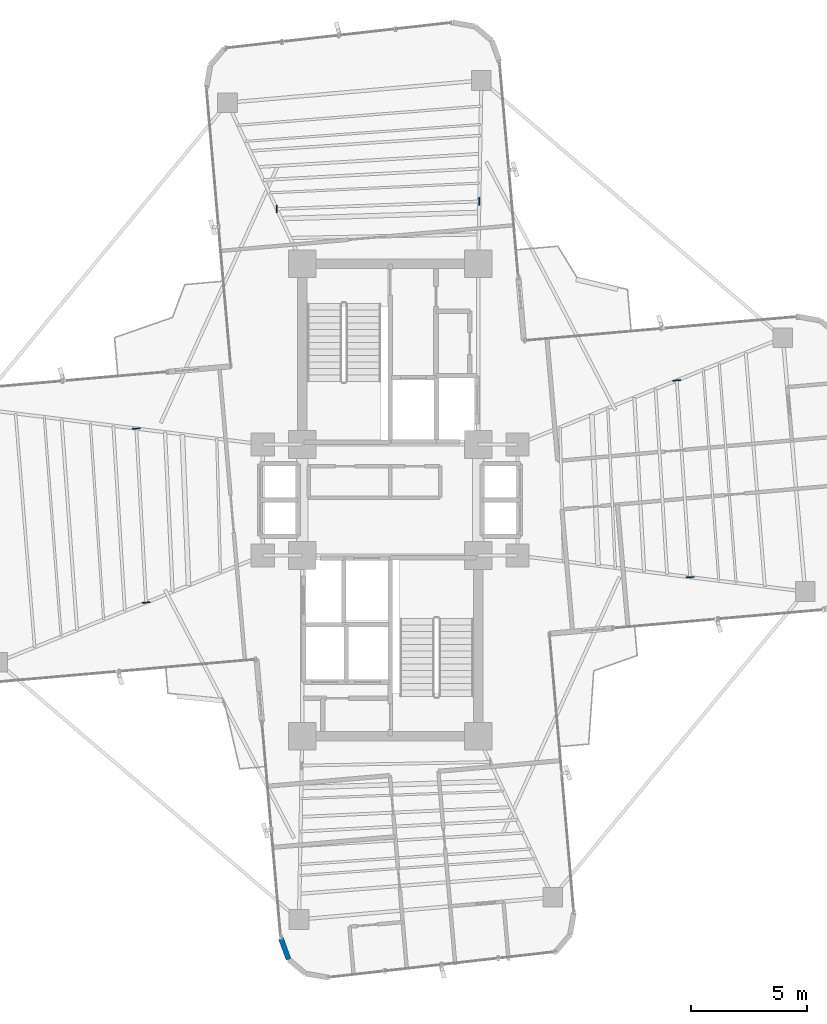
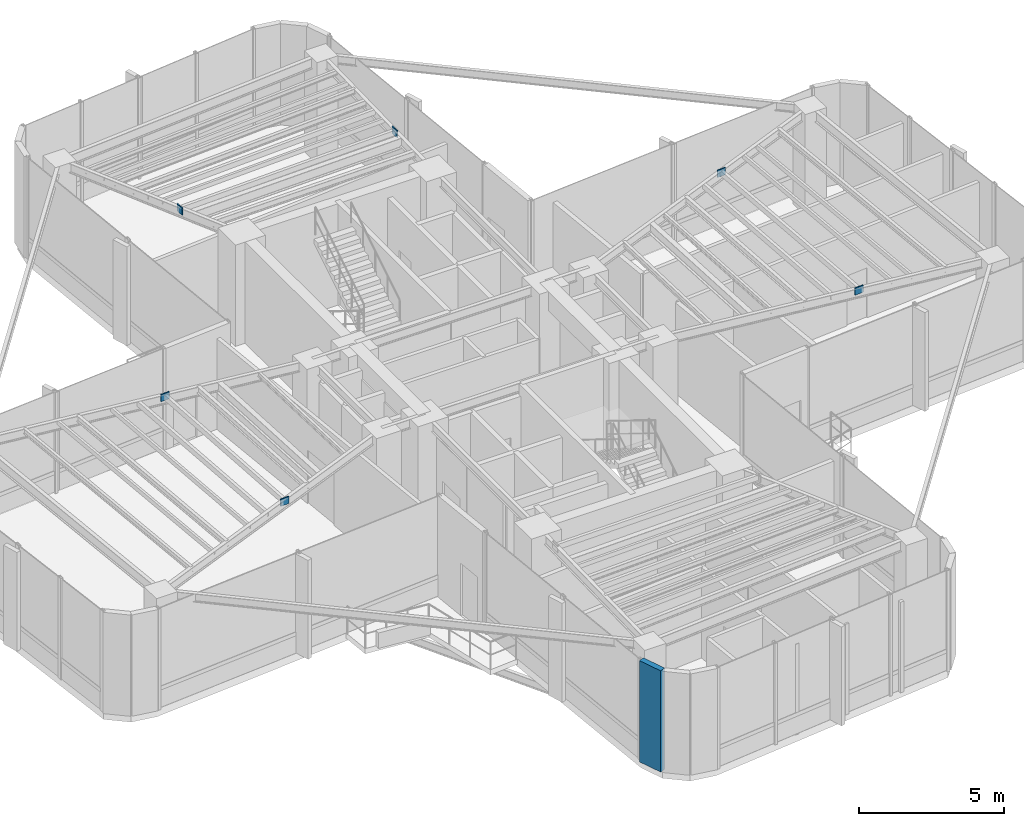
# One storey, part 15 of 19: 6 plates, 1 wall.
"""IFC4 building model written with IfcOpenShell, lengths in metres."""

from ifc_helpers import new_model, si_unit, direction, frame, frame_2d, origin, origin_2d, place, context, subcontext, project, spatial, rectangle, extrude, source, transform, mapped, material, layer, layer_set, type_object, element, save


model = new_model("IFC4")

# Units and contexts
model_context = context("Model", 3, precision=1e-05, world=origin(), true_north=direction((0.0, 1.0)))
body_context = subcontext(model_context, "Body", "Model", "MODEL_VIEW")
ifc_project = project(units=[si_unit("LENGTHUNIT", "METRE"), si_unit("AREAUNIT", "SQUARE_METRE"), si_unit("VOLUMEUNIT", "CUBIC_METRE"), si_unit("PLANEANGLEUNIT", "RADIAN"), si_unit("MASSUNIT", "GRAM", prefix="KILO")], contexts=[model_context])

# Site, building, storey
site_placement = place(None, origin())
site = spatial("IfcSite", under=ifc_project, at=site_placement, CompositionType="ELEMENT")
building_placement = place(site_placement, origin())
building = spatial("IfcBuilding", under=site, at=building_placement, Name="Sahyath Konkavel Grand Hotel", CompositionType="ELEMENT")
storey_placement = place(building_placement, frame((0.0, 0.0, 142.75)))
storey = spatial("IfcBuildingStorey", under=building, at=storey_placement, Name="L39", CompositionType="ELEMENT", Elevation=142.75)

# Plates
ifc_material_1 = material(Name="Steel E450", Category="steel")
plate_type = type_object("IfcPlateType", Name="GUSSET-END-35", PredefinedType="USERDEFINED", material=ifc_material_1)
shared_shape = source(origin(), body_context, "Body", "SweptSolid", [
    extrude(rectangle(XDim=0.0400390625, YDim=0.340087890625, at=origin_2d()), origin(), (0.0, 0.0, 1.0), 0.300048828125),
])
for number, where, z_axis, x_axis, name in (
    (1, (12.94775390625, -3.332275390625, 4.0), (0.0, 0.0, 1.0), (-0.067562548913, 0.997715040472, 0.0), "L39 Sub-Beam E-4 End Cap A"),
    (2, (12.37255859375, 5.16259765625, 4.0), (0.0, 0.0, 1.0), (-0.067562548913, 0.997715040472, 0.0), "L39 Sub-Beam E-4 End Cap B"),
    (3, (-10.961669921875, 3.083740234375, 4.0), (0.0, 0.0, 1.0), (0.056082894258, -0.99842611593, 0.0), "L39 Sub-Beam W-3 End Cap A"),
    (4, (-10.539794921875, -4.42578125, 4.0), (0.0, 0.0, 1.0), (0.056082894258, -0.99842611593, 0.0), "L39 Sub-Beam W-3 End Cap B"),
    (5, (3.846435546875, 12.89013671875, 4.0), (0.0, 0.0, 1.0), (-0.999305172599, -0.03727159798, 0.0), "L39 Sub-Beam N-2 End Cap A"),
    (6, (-4.8955078125, 12.564208984375, 4.0), (0.0, 0.0, 1.0), (-0.999305172599, -0.03727159798, 0.0), "L39 Sub-Beam N-2 End Cap B"),
):
    element("IfcPlate", number, at=place(storey_placement, frame(where, z_axis=z_axis, x_axis=x_axis)), inside=storey, type_object=plate_type, Name=name, ObjectType="GUSSET_PLATE", PredefinedType="USERDEFINED", context=body_context, shape_type="MappedRepresentation", body=[
        mapped(shared_shape, transform((0.0, 0.0, 0.0), scale=1.0)),
    ])

# Wall
ifc_material_2 = material(Name="Warm Buff Sandstone Insulated Concrete C40/50", Category="masonry")
ifc_layer = layer(ifc_material_2, 0.219970703125)
ifc_layer_set = layer_set([ifc_layer], Name="Warm Buff Sandstone Insulated Concrete C40/50")
wall_type = type_object("IfcWallType", Name="WLL-BALC-THRESH", PredefinedType="STANDARD", material=ifc_layer_set)
wall_placement = place(storey_placement, frame((-4.7177734375, -18.93310546875, 0.0), z_axis=(0.0, 0.0, 1.0), x_axis=(0.34188635151, -0.939741306239, 0.0)))
element("IfcWall", 7, at=wall_placement, inside=storey, type_object=wall_type, Name="L39 Rounded Corner Sandstone Pier 25", PredefinedType="STANDARD", context=body_context, shape_type="SweptSolid", body=[
    extrude(rectangle(XDim=0.95751953125, YDim=0.219970703125, at=frame_2d((0.478759765625, 0.0))), origin(), (0.0, 0.0, 1.0), 4.260009765625),
])

save(model, "model.ifc")
